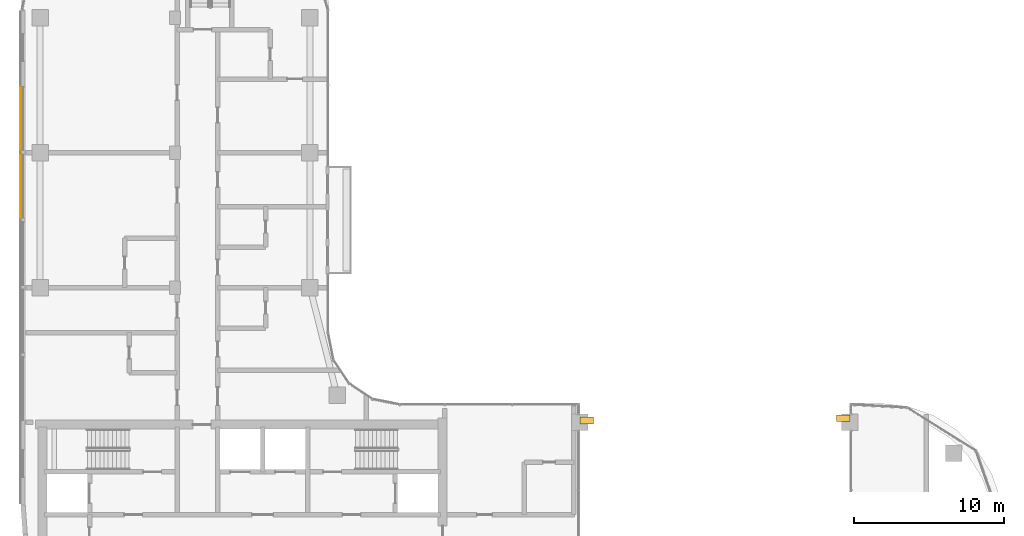
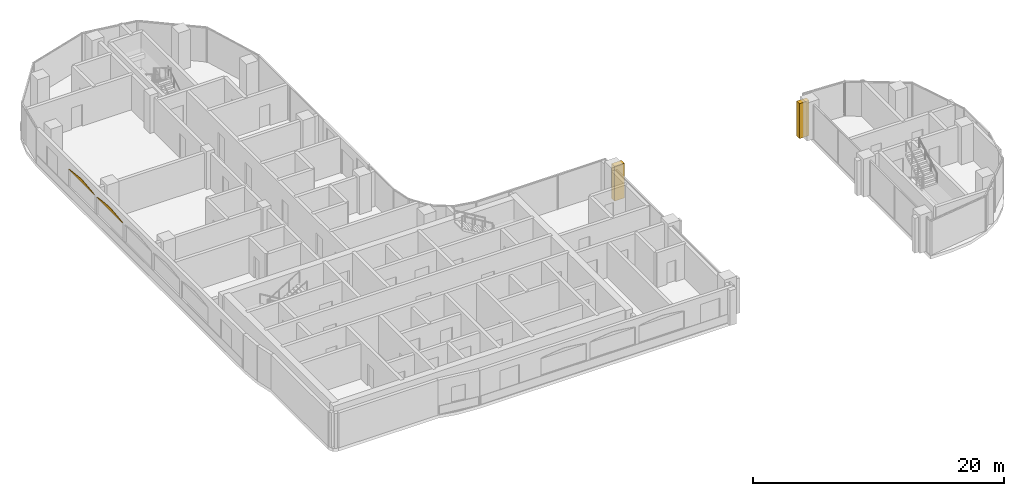
# One storey, part 22 of 23: 4 coverings.
"""IFC4 building model written with IfcOpenShell, lengths in metres."""

from ifc_helpers import new_model, si_unit, direction, frame, origin, origin_2d, place, context, subcontext, project, spatial, polyline, rectangle, outline, extrude, material, layer, layer_set, type_object, element, save


model = new_model("IFC4")

# Units and contexts
model_context = context("Model", 3, precision=1e-05, world=origin(), true_north=direction((0.0, 1.0)))
body_context = subcontext(model_context, "Body", "Model", "MODEL_VIEW")
ifc_project = project(units=[si_unit("LENGTHUNIT", "METRE"), si_unit("AREAUNIT", "SQUARE_METRE"), si_unit("VOLUMEUNIT", "CUBIC_METRE"), si_unit("PLANEANGLEUNIT", "RADIAN"), si_unit("MASSUNIT", "GRAM", prefix="KILO")], contexts=[model_context])

# Site, building, storey
site_placement = place(None, origin())
site = spatial("IfcSite", under=ifc_project, at=site_placement, CompositionType="ELEMENT")
building_placement = place(site_placement, origin())
building = spatial("IfcBuilding", under=site, at=building_placement, Name="Ogive Portal Towers", CompositionType="ELEMENT")
storey_placement = place(building_placement, frame((0.0, 0.0, 164.39990234375)))
storey = spatial("IfcBuildingStorey", under=building, at=storey_placement, Name="L40", CompositionType="ELEMENT", Elevation=164.39990234375)

# Coverings
ifc_material = material(Name="Limestone cladding on lightweight block wall", Category="masonry")
ifc_layer_1 = layer(ifc_material, 0.449951171875)
ifc_layer_set_1 = layer_set([ifc_layer_1], Name="BUTTRESS PIER STONE")
covering_type_1 = type_object("IfcCoveringType", Name="BUTTRESS PIER STONE", PredefinedType="CLADDING", material=ifc_layer_set_1)
for number, where, z_axis, x_axis, name in (
    (1, (67.949951171875, 39.625, 0.000244140625), (0.0, 0.0, 1.0), (1.0, 0.0, 0.0), "Buttress pier A1-F06.3"),
    (2, (85.050048828125, 39.784912109375, 0.000244140625), (0.0, 0.0, 1.0), (1.0, 0.0, 0.0), "Buttress pier A2-F01.2"),
):
    element("IfcCovering", number, at=place(storey_placement, frame(where, z_axis=z_axis, x_axis=x_axis)), inside=storey, type_object=covering_type_1, Name=name, PredefinedType="CLADDING", context=body_context, shape_type="SweptSolid", body=[
        extrude(rectangle(XDim=0.89990234375, YDim=0.449951171875, at=origin_2d()), origin(), (0.0, 0.0, 1.0), 3.39990234375),
    ])
ifc_layer_2 = layer(ifc_material, 0.0400390625)
ifc_layer_set_2 = layer_set([ifc_layer_2], Name="LANCET HEAD STONE")
covering_type_2 = type_object("IfcCoveringType", Name="LANCET HEAD STONE", PredefinedType="CLADDING", material=ifc_layer_set_2)
for number, where, z_axis, x_axis, name in (
    (3, (30.215087890625, 61.85009765625, 2.60009765625), (0.999943512381, 0.0, 0.010628830986), (0.0, -1.0, 0.0), "Lancet head"),
    (4, (30.215087890625, 57.35009765625, 2.60009765625), (0.999943512381, 0.0, 0.010628830986), (0.0, -1.0, 0.0), "Lancet head"),
):
    element("IfcCovering", number, at=place(storey_placement, frame(where, z_axis=z_axis, x_axis=x_axis)), inside=storey, type_object=covering_type_2, Name=name, PredefinedType="CLADDING", context=body_context, shape_type="SweptSolid", body=[
        extrude(outline(polyline([(0.0, 0.0), (4.2001953125, 0.0), (4.107177734375, -0.03760072230677994), (3.9375, -0.07495472285004258), (3.7177734375, -0.11255544515682253), (3.45751953125, -0.14991204062952518), (3.162353515625, -0.18751016800686512), (2.836181640625, -0.22511089031364506), (2.481201171875, -0.2624648908569077), (2.10009765625, -0.30006561316368763), (1.718994140625, -0.2624648908569077), (1.364013671875, -0.22511089031364506), (1.037841796875, -0.18751016800686512), (0.74267578125, -0.14991204062952518), (0.482421875, -0.11255544515682253), (0.2626953125, -0.07495472285004258), (0.093017578125, -0.03760072230677994), (0.0, 0.0)])), origin(), (0.0, 0.0, -1.0), 0.0400390625),
    ])

save(model, "model.ifc")
